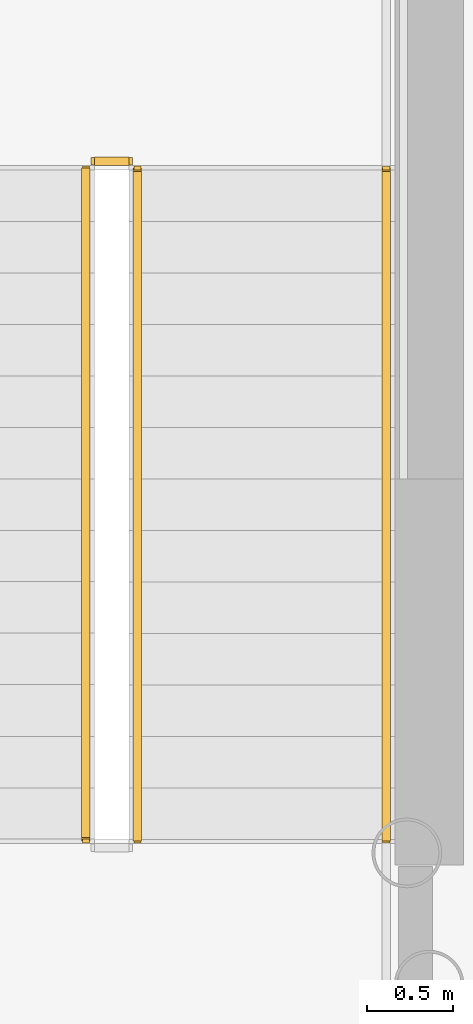
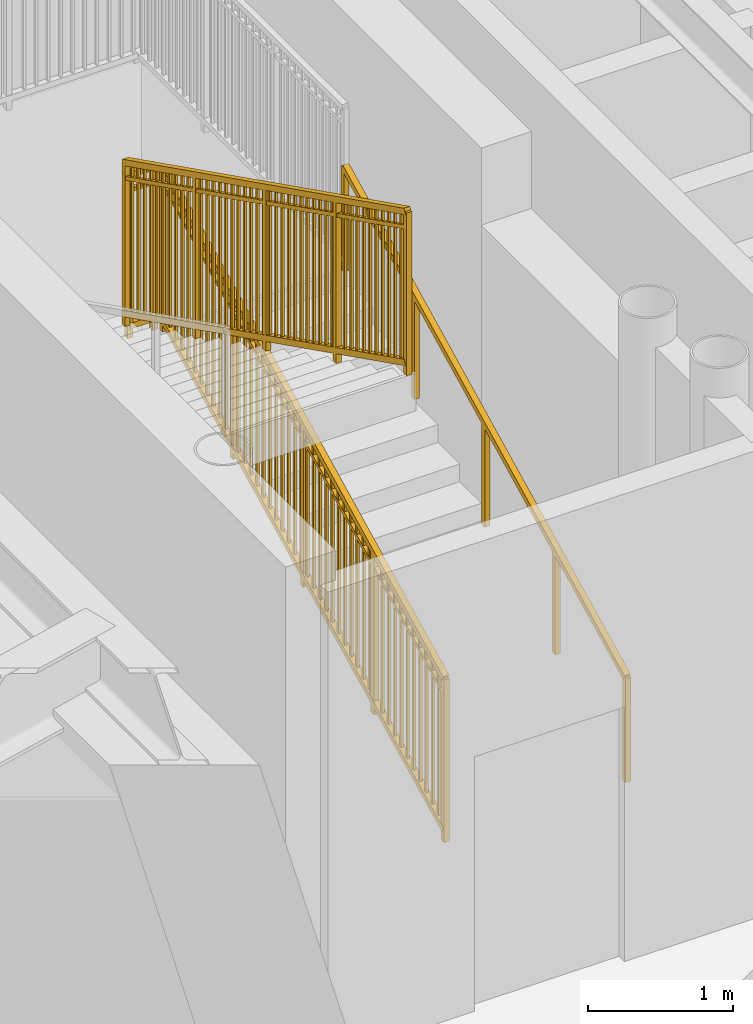
# One storey, part 21 of 28: 4 railings.
"""IFC4 building model written with IfcOpenShell, lengths in metres."""

from ifc_helpers import new_model, si_unit, direction, frame, origin, origin_2d, place, context, subcontext, project, spatial, rectangle, extrude, source, transform, mapped, material, type_object, element, save


model = new_model("IFC4")

# Units and contexts
model_context = context("Model", 3, precision=1e-05, world=origin(), true_north=direction((0.0, 1.0)))
body_context = subcontext(model_context, "Body", "Model", "MODEL_VIEW")
ifc_project = project(units=[si_unit("LENGTHUNIT", "METRE"), si_unit("AREAUNIT", "SQUARE_METRE"), si_unit("VOLUMEUNIT", "CUBIC_METRE"), si_unit("PLANEANGLEUNIT", "RADIAN"), si_unit("MASSUNIT", "GRAM", prefix="KILO")], contexts=[model_context])

# Site, building, storey
site_placement = place(None, origin())
site = spatial("IfcSite", under=ifc_project, at=site_placement, CompositionType="ELEMENT")
building_placement = place(site_placement, origin())
building = spatial("IfcBuilding", under=site, at=building_placement, Name="Linh Dai School and Residence Tower", CompositionType="ELEMENT")
storey_placement = place(building_placement, frame((0.0, 0.0, 36.60009765625)))
storey = spatial("IfcBuildingStorey", under=building, at=storey_placement, Name="L08", CompositionType="ELEMENT", Elevation=36.60009765625)

# Railings
ifc_material_1 = material(Name="Structural Steel S355JR", Category="steel")
railing_type_1 = type_object("IfcRailingType", Name="RL-ST-GUARD-1400", PredefinedType="GUARDRAIL", material=ifc_material_1)
shared_shape_1 = source(origin(), body_context, "Body", "SweptSolid", [
    extrude(rectangle(XDim=0.048095703125, YDim=0.048095703125, at=origin_2d()), frame((0.0, 0.0, 1.3759765625), z_axis=(-1.0, 0.0, 0.0), x_axis=(0.0, -1.0, 0.0)), (0.0, 0.0, 1.0), 0.199951171875),
    extrude(rectangle(XDim=0.048095703125, YDim=0.048095703125, at=origin_2d()), frame((0.0, 0.0, 0.10009765625), z_axis=(-1.0, 0.0, 0.0), x_axis=(0.0, -1.0, 0.0)), (0.0, 0.0, 1.0), 0.199951171875),
    extrude(rectangle(XDim=0.030029296875, YDim=0.030029296875, at=origin_2d()), frame((0.0, 0.0, 1.239990234375), z_axis=(-1.0, 0.0, 0.0), x_axis=(0.0, -1.0, 0.0)), (0.0, 0.0, 1.0), 0.199951171875),
    extrude(rectangle(XDim=0.0419921875, YDim=0.0419921875, at=origin_2d()), origin(), (0.0, 0.0, 1.0), 1.3759765625),
    extrude(rectangle(XDim=0.0419921875, YDim=0.0419921875, at=origin_2d()), frame((-0.199951171875, 0.0, 0.0)), (0.0, 0.0, 1.0), 1.3759765625),
])
railing_1_placement = place(storey_placement, frame((29.429931640625, 29.64990234375, 2.099853515625)))
element("IfcRailing", 1, at=railing_1_placement, inside=storey, type_object=railing_type_1, Name="L08 ST1 stair guard 2", PredefinedType="GUARDRAIL", context=body_context, shape_type="MappedRepresentation", body=[
    mapped(shared_shape_1, transform((0.0, 0.0, 0.0), x_axis=(1.0, 0.0, 0.0), y_axis=(0.0, 1.0, 0.0), z_axis=(0.0, 0.0, 1.0), scale=1.0)),
])
shared_shape_2 = source(origin(), body_context, "Body", "SweptSolid", [
    extrude(rectangle(XDim=0.048095703125, YDim=0.048095703125, at=origin_2d()), frame((0.0, 0.0, 1.3759765625), z_axis=(0.0, -0.894438388696, 0.447191199406), x_axis=(1.0, 0.0, 0.0)), (0.0, 0.0, 1.0), 4.3603515625),
    extrude(rectangle(XDim=0.048095703125, YDim=0.048095703125, at=origin_2d()), frame((0.0, 0.0, 0.10009765625), z_axis=(0.0, -0.894438388696, 0.447191199406), x_axis=(1.0, 0.0, 0.0)), (0.0, 0.0, 1.0), 4.3603515625),
    extrude(rectangle(XDim=0.030029296875, YDim=0.030029296875, at=origin_2d()), frame((0.0, 0.0, 1.239990234375), z_axis=(0.0, -0.894438388696, 0.447191199406), x_axis=(1.0, 0.0, 0.0)), (0.0, 0.0, 1.0), 4.3603515625),
    extrude(rectangle(XDim=0.02001953125, YDim=0.02001953125, at=origin_2d()), frame((0.0, -0.086669921875, 0.143310546875)), (0.0, 0.0, 1.0), 1.251708984375),
    extrude(rectangle(XDim=0.02001953125, YDim=0.02001953125, at=origin_2d()), frame((0.0, -0.17333984375, 0.186767578125)), (0.0, 0.0, 1.0), 1.251708984375),
    extrude(rectangle(XDim=0.02001953125, YDim=0.02001953125, at=origin_2d()), frame((0.0, -0.260009765625, 0.22998046875)), (0.0, 0.0, 1.0), 1.251708984375),
    extrude(rectangle(XDim=0.02001953125, YDim=0.02001953125, at=origin_2d()), frame((0.0, -0.3466796875, 0.2734375)), (0.0, 0.0, 1.0), 1.251708984375),
    extrude(rectangle(XDim=0.02001953125, YDim=0.02001953125, at=origin_2d()), frame((0.0, -0.433349609375, 0.316650390625)), (0.0, 0.0, 1.0), 1.251708984375),
    extrude(rectangle(XDim=0.02001953125, YDim=0.02001953125, at=origin_2d()), frame((0.0, -0.52001953125, 0.360107421875)), (0.0, 0.0, 1.0), 1.251708984375),
    extrude(rectangle(XDim=0.02001953125, YDim=0.02001953125, at=origin_2d()), frame((0.0, -0.606689453125, 0.4033203125)), (0.0, 0.0, 1.0), 1.251708984375),
    extrude(rectangle(XDim=0.02001953125, YDim=0.02001953125, at=origin_2d()), frame((0.0, -0.693359375, 0.44677734375)), (0.0, 0.0, 1.0), 1.251708984375),
    extrude(rectangle(XDim=0.02001953125, YDim=0.02001953125, at=origin_2d()), frame((0.0, -0.780029296875, 0.489990234375)), (0.0, 0.0, 1.0), 1.251708984375),
    extrude(rectangle(XDim=0.02001953125, YDim=0.02001953125, at=origin_2d()), frame((0.0, -0.86669921875, 0.533447265625)), (0.0, 0.0, 1.0), 1.251708984375),
    extrude(rectangle(XDim=0.02001953125, YDim=0.02001953125, at=origin_2d()), frame((0.0, -1.0400390625, 0.6201171875)), (0.0, 0.0, 1.0), 1.251708984375),
    extrude(rectangle(XDim=0.02001953125, YDim=0.02001953125, at=origin_2d()), frame((0.0, -1.126708984375, 0.663330078125)), (0.0, 0.0, 1.0), 1.251708984375),
    extrude(rectangle(XDim=0.02001953125, YDim=0.02001953125, at=origin_2d()), frame((0.0, -1.21337890625, 0.706787109375)), (0.0, 0.0, 1.0), 1.251708984375),
    extrude(rectangle(XDim=0.02001953125, YDim=0.02001953125, at=origin_2d()), frame((0.0, -1.300048828125, 0.75)), (0.0, 0.0, 1.0), 1.251708984375),
    extrude(rectangle(XDim=0.02001953125, YDim=0.02001953125, at=origin_2d()), frame((0.0, -1.38671875, 0.79345703125)), (0.0, 0.0, 1.0), 1.251708984375),
    extrude(rectangle(XDim=0.02001953125, YDim=0.02001953125, at=origin_2d()), frame((0.0, -1.473388671875, 0.836669921875)), (0.0, 0.0, 1.0), 1.251708984375),
    extrude(rectangle(XDim=0.02001953125, YDim=0.02001953125, at=origin_2d()), frame((0.0, -1.56005859375, 0.880126953125)), (0.0, 0.0, 1.0), 1.251708984375),
    extrude(rectangle(XDim=0.02001953125, YDim=0.02001953125, at=origin_2d()), frame((0.0, -1.646728515625, 0.92333984375)), (0.0, 0.0, 1.0), 1.251708984375),
    extrude(rectangle(XDim=0.02001953125, YDim=0.02001953125, at=origin_2d()), frame((0.0, -1.7333984375, 0.966796875)), (0.0, 0.0, 1.0), 1.251708984375),
    extrude(rectangle(XDim=0.02001953125, YDim=0.02001953125, at=origin_2d()), frame((0.0, -1.820068359375, 1.010009765625)), (0.0, 0.0, 1.0), 1.251708984375),
    extrude(rectangle(XDim=0.02001953125, YDim=0.02001953125, at=origin_2d()), frame((0.0, -1.90673828125, 1.053466796875)), (0.0, 0.0, 1.0), 1.251708984375),
    extrude(rectangle(XDim=0.02001953125, YDim=0.02001953125, at=origin_2d()), frame((0.0, -1.993408203125, 1.0966796875)), (0.0, 0.0, 1.0), 1.251708984375),
    extrude(rectangle(XDim=0.02001953125, YDim=0.02001953125, at=origin_2d()), frame((0.0, -2.080078125, 1.14013671875)), (0.0, 0.0, 1.0), 1.251708984375),
    extrude(rectangle(XDim=0.02001953125, YDim=0.02001953125, at=origin_2d()), frame((0.0, -2.166748046875, 1.183349609375)), (0.0, 0.0, 1.0), 1.251708984375),
    extrude(rectangle(XDim=0.02001953125, YDim=0.02001953125, at=origin_2d()), frame((0.0, -2.25341796875, 1.226806640625)), (0.0, 0.0, 1.0), 1.251708984375),
    extrude(rectangle(XDim=0.02001953125, YDim=0.02001953125, at=origin_2d()), frame((0.0, -2.340087890625, 1.27001953125)), (0.0, 0.0, 1.0), 1.251708984375),
    extrude(rectangle(XDim=0.02001953125, YDim=0.02001953125, at=origin_2d()), frame((0.0, -2.4267578125, 1.3134765625)), (0.0, 0.0, 1.0), 1.251708984375),
    extrude(rectangle(XDim=0.02001953125, YDim=0.02001953125, at=origin_2d()), frame((0.0, -2.513427734375, 1.356689453125)), (0.0, 0.0, 1.0), 1.251708984375),
    extrude(rectangle(XDim=0.02001953125, YDim=0.02001953125, at=origin_2d()), frame((0.0, -2.60009765625, 1.400146484375)), (0.0, 0.0, 1.0), 1.251708984375),
    extrude(rectangle(XDim=0.02001953125, YDim=0.02001953125, at=origin_2d()), frame((0.0, -2.686767578125, 1.443359375)), (0.0, 0.0, 1.0), 1.251708984375),
    extrude(rectangle(XDim=0.02001953125, YDim=0.02001953125, at=origin_2d()), frame((0.0, -2.7734375, 1.48681640625)), (0.0, 0.0, 1.0), 1.251708984375),
    extrude(rectangle(XDim=0.02001953125, YDim=0.02001953125, at=origin_2d()), frame((0.0, -2.860107421875, 1.530029296875)), (0.0, 0.0, 1.0), 1.251708984375),
    extrude(rectangle(XDim=0.02001953125, YDim=0.02001953125, at=origin_2d()), frame((0.0, -3.033447265625, 1.61669921875)), (0.0, 0.0, 1.0), 1.251708984375),
    extrude(rectangle(XDim=0.02001953125, YDim=0.02001953125, at=origin_2d()), frame((0.0, -3.1201171875, 1.66015625)), (0.0, 0.0, 1.0), 1.251708984375),
    extrude(rectangle(XDim=0.02001953125, YDim=0.02001953125, at=origin_2d()), frame((0.0, -3.206787109375, 1.703369140625)), (0.0, 0.0, 1.0), 1.251708984375),
    extrude(rectangle(XDim=0.02001953125, YDim=0.02001953125, at=origin_2d()), frame((0.0, -3.29345703125, 1.746826171875)), (0.0, 0.0, 1.0), 1.251708984375),
    extrude(rectangle(XDim=0.02001953125, YDim=0.02001953125, at=origin_2d()), frame((0.0, -3.380126953125, 1.7900390625)), (0.0, 0.0, 1.0), 1.251708984375),
    extrude(rectangle(XDim=0.02001953125, YDim=0.02001953125, at=origin_2d()), frame((0.0, -3.466796875, 1.83349609375)), (0.0, 0.0, 1.0), 1.251708984375),
    extrude(rectangle(XDim=0.02001953125, YDim=0.02001953125, at=origin_2d()), frame((0.0, -3.553466796875, 1.876708984375)), (0.0, 0.0, 1.0), 1.251708984375),
    extrude(rectangle(XDim=0.02001953125, YDim=0.02001953125, at=origin_2d()), frame((0.0, -3.64013671875, 1.920166015625)), (0.0, 0.0, 1.0), 1.251708984375),
    extrude(rectangle(XDim=0.02001953125, YDim=0.02001953125, at=origin_2d()), frame((0.0, -3.726806640625, 1.96337890625)), (0.0, 0.0, 1.0), 1.251708984375),
    extrude(rectangle(XDim=0.02001953125, YDim=0.02001953125, at=origin_2d()), frame((0.0, -3.8134765625, 2.0068359375)), (0.0, 0.0, 1.0), 1.251708984375),
    extrude(rectangle(XDim=0.0419921875, YDim=0.0419921875, at=origin_2d()), origin(), (0.0, 0.0, 1.0), 1.3759765625),
    extrude(rectangle(XDim=0.0419921875, YDim=0.0419921875, at=origin_2d()), frame((0.0, -0.97509765625, 0.487548828125)), (0.0, 0.0, 1.0), 1.3759765625),
    extrude(rectangle(XDim=0.0419921875, YDim=0.0419921875, at=origin_2d()), frame((0.0, -1.9501953125, 0.97509765625)), (0.0, 0.0, 1.0), 1.3759765625),
    extrude(rectangle(XDim=0.0419921875, YDim=0.0419921875, at=origin_2d()), frame((0.0, -2.925048828125, 1.46240234375)), (0.0, 0.0, 1.0), 1.3759765625),
    extrude(rectangle(XDim=0.0419921875, YDim=0.0419921875, at=origin_2d()), frame((0.0, -3.900146484375, 1.949951171875)), (0.0, 0.0, 1.0), 1.3759765625),
])
railing_2_placement = place(storey_placement, frame((29.179931640625, 29.60009765625, 2.25)))
element("IfcRailing", 2, at=railing_2_placement, inside=storey, type_object=railing_type_1, Name="L08 ST1 stair guard 6", PredefinedType="GUARDRAIL", context=body_context, shape_type="MappedRepresentation", body=[
    mapped(shared_shape_2, transform((0.0, 0.0, 0.0), x_axis=(1.0, 0.0, 0.0), y_axis=(0.0, 1.0, 0.0), z_axis=(0.0, 0.0, 1.0), scale=1.0)),
])
shared_shape_3 = source(origin(), body_context, "Body", "SweptSolid", [
    extrude(rectangle(XDim=0.048095703125, YDim=0.048095703125, at=origin_2d()), frame((0.0, 0.0, 1.3759765625), z_axis=(0.0, 0.894438388696, 0.447191199406), x_axis=(-1.0, 0.0, 0.0)), (0.0, 0.0, 1.0), 4.3603515625),
    extrude(rectangle(XDim=0.048095703125, YDim=0.048095703125, at=origin_2d()), frame((0.0, 0.0, 0.10009765625), z_axis=(0.0, 0.894438388696, 0.447191199406), x_axis=(-1.0, 0.0, 0.0)), (0.0, 0.0, 1.0), 4.3603515625),
    extrude(rectangle(XDim=0.030029296875, YDim=0.030029296875, at=origin_2d()), frame((0.0, 0.0, 1.239990234375), z_axis=(0.0, 0.894438388696, 0.447191199406), x_axis=(-1.0, 0.0, 0.0)), (0.0, 0.0, 1.0), 4.3603515625),
    extrude(rectangle(XDim=0.02001953125, YDim=0.02001953125, at=origin_2d()), frame((0.0, 0.086669921875, 0.143310546875)), (0.0, 0.0, 1.0), 1.251708984375),
    extrude(rectangle(XDim=0.02001953125, YDim=0.02001953125, at=origin_2d()), frame((0.0, 0.17333984375, 0.186767578125)), (0.0, 0.0, 1.0), 1.251708984375),
    extrude(rectangle(XDim=0.02001953125, YDim=0.02001953125, at=origin_2d()), frame((0.0, 0.260009765625, 0.22998046875)), (0.0, 0.0, 1.0), 1.251708984375),
    extrude(rectangle(XDim=0.02001953125, YDim=0.02001953125, at=origin_2d()), frame((0.0, 0.3466796875, 0.2734375)), (0.0, 0.0, 1.0), 1.251708984375),
    extrude(rectangle(XDim=0.02001953125, YDim=0.02001953125, at=origin_2d()), frame((0.0, 0.433349609375, 0.316650390625)), (0.0, 0.0, 1.0), 1.251708984375),
    extrude(rectangle(XDim=0.02001953125, YDim=0.02001953125, at=origin_2d()), frame((0.0, 0.52001953125, 0.360107421875)), (0.0, 0.0, 1.0), 1.251708984375),
    extrude(rectangle(XDim=0.02001953125, YDim=0.02001953125, at=origin_2d()), frame((0.0, 0.606689453125, 0.4033203125)), (0.0, 0.0, 1.0), 1.251708984375),
    extrude(rectangle(XDim=0.02001953125, YDim=0.02001953125, at=origin_2d()), frame((0.0, 0.693359375, 0.44677734375)), (0.0, 0.0, 1.0), 1.251708984375),
    extrude(rectangle(XDim=0.02001953125, YDim=0.02001953125, at=origin_2d()), frame((0.0, 0.780029296875, 0.489990234375)), (0.0, 0.0, 1.0), 1.251708984375),
    extrude(rectangle(XDim=0.02001953125, YDim=0.02001953125, at=origin_2d()), frame((0.0, 0.86669921875, 0.533447265625)), (0.0, 0.0, 1.0), 1.251708984375),
    extrude(rectangle(XDim=0.02001953125, YDim=0.02001953125, at=origin_2d()), frame((0.0, 1.0400390625, 0.6201171875)), (0.0, 0.0, 1.0), 1.251708984375),
    extrude(rectangle(XDim=0.02001953125, YDim=0.02001953125, at=origin_2d()), frame((0.0, 1.126708984375, 0.663330078125)), (0.0, 0.0, 1.0), 1.251708984375),
    extrude(rectangle(XDim=0.02001953125, YDim=0.02001953125, at=origin_2d()), frame((0.0, 1.21337890625, 0.706787109375)), (0.0, 0.0, 1.0), 1.251708984375),
    extrude(rectangle(XDim=0.02001953125, YDim=0.02001953125, at=origin_2d()), frame((0.0, 1.300048828125, 0.75)), (0.0, 0.0, 1.0), 1.251708984375),
    extrude(rectangle(XDim=0.02001953125, YDim=0.02001953125, at=origin_2d()), frame((0.0, 1.38671875, 0.79345703125)), (0.0, 0.0, 1.0), 1.251708984375),
    extrude(rectangle(XDim=0.02001953125, YDim=0.02001953125, at=origin_2d()), frame((0.0, 1.473388671875, 0.836669921875)), (0.0, 0.0, 1.0), 1.251708984375),
    extrude(rectangle(XDim=0.02001953125, YDim=0.02001953125, at=origin_2d()), frame((0.0, 1.56005859375, 0.880126953125)), (0.0, 0.0, 1.0), 1.251708984375),
    extrude(rectangle(XDim=0.02001953125, YDim=0.02001953125, at=origin_2d()), frame((0.0, 1.646728515625, 0.92333984375)), (0.0, 0.0, 1.0), 1.251708984375),
    extrude(rectangle(XDim=0.02001953125, YDim=0.02001953125, at=origin_2d()), frame((0.0, 1.7333984375, 0.966796875)), (0.0, 0.0, 1.0), 1.251708984375),
    extrude(rectangle(XDim=0.02001953125, YDim=0.02001953125, at=origin_2d()), frame((0.0, 1.820068359375, 1.010009765625)), (0.0, 0.0, 1.0), 1.251708984375),
    extrude(rectangle(XDim=0.02001953125, YDim=0.02001953125, at=origin_2d()), frame((0.0, 1.90673828125, 1.053466796875)), (0.0, 0.0, 1.0), 1.251708984375),
    extrude(rectangle(XDim=0.02001953125, YDim=0.02001953125, at=origin_2d()), frame((0.0, 1.993408203125, 1.0966796875)), (0.0, 0.0, 1.0), 1.251708984375),
    extrude(rectangle(XDim=0.02001953125, YDim=0.02001953125, at=origin_2d()), frame((0.0, 2.080078125, 1.14013671875)), (0.0, 0.0, 1.0), 1.251708984375),
    extrude(rectangle(XDim=0.02001953125, YDim=0.02001953125, at=origin_2d()), frame((0.0, 2.166748046875, 1.183349609375)), (0.0, 0.0, 1.0), 1.251708984375),
    extrude(rectangle(XDim=0.02001953125, YDim=0.02001953125, at=origin_2d()), frame((0.0, 2.25341796875, 1.226806640625)), (0.0, 0.0, 1.0), 1.251708984375),
    extrude(rectangle(XDim=0.02001953125, YDim=0.02001953125, at=origin_2d()), frame((0.0, 2.340087890625, 1.27001953125)), (0.0, 0.0, 1.0), 1.251708984375),
    extrude(rectangle(XDim=0.02001953125, YDim=0.02001953125, at=origin_2d()), frame((0.0, 2.4267578125, 1.3134765625)), (0.0, 0.0, 1.0), 1.251708984375),
    extrude(rectangle(XDim=0.02001953125, YDim=0.02001953125, at=origin_2d()), frame((0.0, 2.513427734375, 1.356689453125)), (0.0, 0.0, 1.0), 1.251708984375),
    extrude(rectangle(XDim=0.02001953125, YDim=0.02001953125, at=origin_2d()), frame((0.0, 2.60009765625, 1.400146484375)), (0.0, 0.0, 1.0), 1.251708984375),
    extrude(rectangle(XDim=0.02001953125, YDim=0.02001953125, at=origin_2d()), frame((0.0, 2.686767578125, 1.443359375)), (0.0, 0.0, 1.0), 1.251708984375),
    extrude(rectangle(XDim=0.02001953125, YDim=0.02001953125, at=origin_2d()), frame((0.0, 2.7734375, 1.48681640625)), (0.0, 0.0, 1.0), 1.251708984375),
    extrude(rectangle(XDim=0.02001953125, YDim=0.02001953125, at=origin_2d()), frame((0.0, 2.860107421875, 1.530029296875)), (0.0, 0.0, 1.0), 1.251708984375),
    extrude(rectangle(XDim=0.02001953125, YDim=0.02001953125, at=origin_2d()), frame((0.0, 3.033447265625, 1.61669921875)), (0.0, 0.0, 1.0), 1.251708984375),
    extrude(rectangle(XDim=0.02001953125, YDim=0.02001953125, at=origin_2d()), frame((0.0, 3.1201171875, 1.66015625)), (0.0, 0.0, 1.0), 1.251708984375),
    extrude(rectangle(XDim=0.02001953125, YDim=0.02001953125, at=origin_2d()), frame((0.0, 3.206787109375, 1.703369140625)), (0.0, 0.0, 1.0), 1.251708984375),
    extrude(rectangle(XDim=0.02001953125, YDim=0.02001953125, at=origin_2d()), frame((0.0, 3.29345703125, 1.746826171875)), (0.0, 0.0, 1.0), 1.251708984375),
    extrude(rectangle(XDim=0.02001953125, YDim=0.02001953125, at=origin_2d()), frame((0.0, 3.380126953125, 1.7900390625)), (0.0, 0.0, 1.0), 1.251708984375),
    extrude(rectangle(XDim=0.02001953125, YDim=0.02001953125, at=origin_2d()), frame((0.0, 3.466796875, 1.83349609375)), (0.0, 0.0, 1.0), 1.251708984375),
    extrude(rectangle(XDim=0.02001953125, YDim=0.02001953125, at=origin_2d()), frame((0.0, 3.553466796875, 1.876708984375)), (0.0, 0.0, 1.0), 1.251708984375),
    extrude(rectangle(XDim=0.02001953125, YDim=0.02001953125, at=origin_2d()), frame((0.0, 3.64013671875, 1.920166015625)), (0.0, 0.0, 1.0), 1.251708984375),
    extrude(rectangle(XDim=0.02001953125, YDim=0.02001953125, at=origin_2d()), frame((0.0, 3.726806640625, 1.96337890625)), (0.0, 0.0, 1.0), 1.251708984375),
    extrude(rectangle(XDim=0.02001953125, YDim=0.02001953125, at=origin_2d()), frame((0.0, 3.8134765625, 2.0068359375)), (0.0, 0.0, 1.0), 1.251708984375),
    extrude(rectangle(XDim=0.0419921875, YDim=0.0419921875, at=origin_2d()), origin(), (0.0, 0.0, 1.0), 1.3759765625),
    extrude(rectangle(XDim=0.0419921875, YDim=0.0419921875, at=origin_2d()), frame((0.0, 0.97509765625, 0.487548828125)), (0.0, 0.0, 1.0), 1.3759765625),
    extrude(rectangle(XDim=0.0419921875, YDim=0.0419921875, at=origin_2d()), frame((0.0, 1.9501953125, 0.97509765625)), (0.0, 0.0, 1.0), 1.3759765625),
    extrude(rectangle(XDim=0.0419921875, YDim=0.0419921875, at=origin_2d()), frame((0.0, 2.925048828125, 1.46240234375)), (0.0, 0.0, 1.0), 1.3759765625),
    extrude(rectangle(XDim=0.0419921875, YDim=0.0419921875, at=origin_2d()), frame((0.0, 3.900146484375, 1.949951171875)), (0.0, 0.0, 1.0), 1.3759765625),
])
railing_3_placement = place(storey_placement, frame((29.47998046875, 25.699951171875, 0.14990234375)))
element("IfcRailing", 3, at=railing_3_placement, inside=storey, type_object=railing_type_1, Name="L08 ST1 stair guard 1", PredefinedType="GUARDRAIL", context=body_context, shape_type="MappedRepresentation", body=[
    mapped(shared_shape_3, transform((0.0, 0.0, 0.0), x_axis=(1.0, 0.0, 0.0), y_axis=(0.0, 1.0, 0.0), z_axis=(0.0, 0.0, 1.0), scale=1.0)),
])
ifc_material_2 = material(Name="Brushed Stainless Steel Handrail", Category="steel")
railing_type_2 = type_object("IfcRailingType", Name="RL-ST-HANDRAIL-900", PredefinedType="HANDRAIL", material=ifc_material_2)
shared_shape_4 = source(origin(), body_context, "Body", "SweptSolid", [
    extrude(rectangle(XDim=0.048095703125, YDim=0.048095703125, at=origin_2d()), frame((0.0, 0.0, 0.8759765625), z_axis=(0.0, 0.894438388696, 0.447191199406), x_axis=(-1.0, 0.0, 0.0)), (0.0, 0.0, 1.0), 4.3603515625),
    extrude(rectangle(XDim=0.0419921875, YDim=0.0419921875, at=origin_2d()), origin(), (0.0, 0.0, 1.0), 0.8759765625),
    extrude(rectangle(XDim=0.0419921875, YDim=0.0419921875, at=origin_2d()), frame((0.0, 0.97509765625, 0.487548828125)), (0.0, 0.0, 1.0), 0.8759765625),
    extrude(rectangle(XDim=0.0419921875, YDim=0.0419921875, at=origin_2d()), frame((0.0, 1.9501953125, 0.97509765625)), (0.0, 0.0, 1.0), 0.8759765625),
    extrude(rectangle(XDim=0.0419921875, YDim=0.0419921875, at=origin_2d()), frame((0.0, 2.925048828125, 1.46240234375)), (0.0, 0.0, 1.0), 0.8759765625),
    extrude(rectangle(XDim=0.0419921875, YDim=0.0419921875, at=origin_2d()), frame((0.0, 3.900146484375, 1.949951171875)), (0.0, 0.0, 1.0), 0.8759765625),
])
railing_4_placement = place(storey_placement, frame((30.929931640625, 25.699951171875, 0.14990234375)))
element("IfcRailing", 4, at=railing_4_placement, inside=storey, type_object=railing_type_2, Name="L08 ST1 stair handrail 1", PredefinedType="HANDRAIL", context=body_context, shape_type="MappedRepresentation", body=[
    mapped(shared_shape_4, transform((0.0, 0.0, 0.0), x_axis=(1.0, 0.0, 0.0), y_axis=(0.0, 1.0, 0.0), z_axis=(0.0, 0.0, 1.0), scale=1.0)),
])

save(model, "model.ifc")
